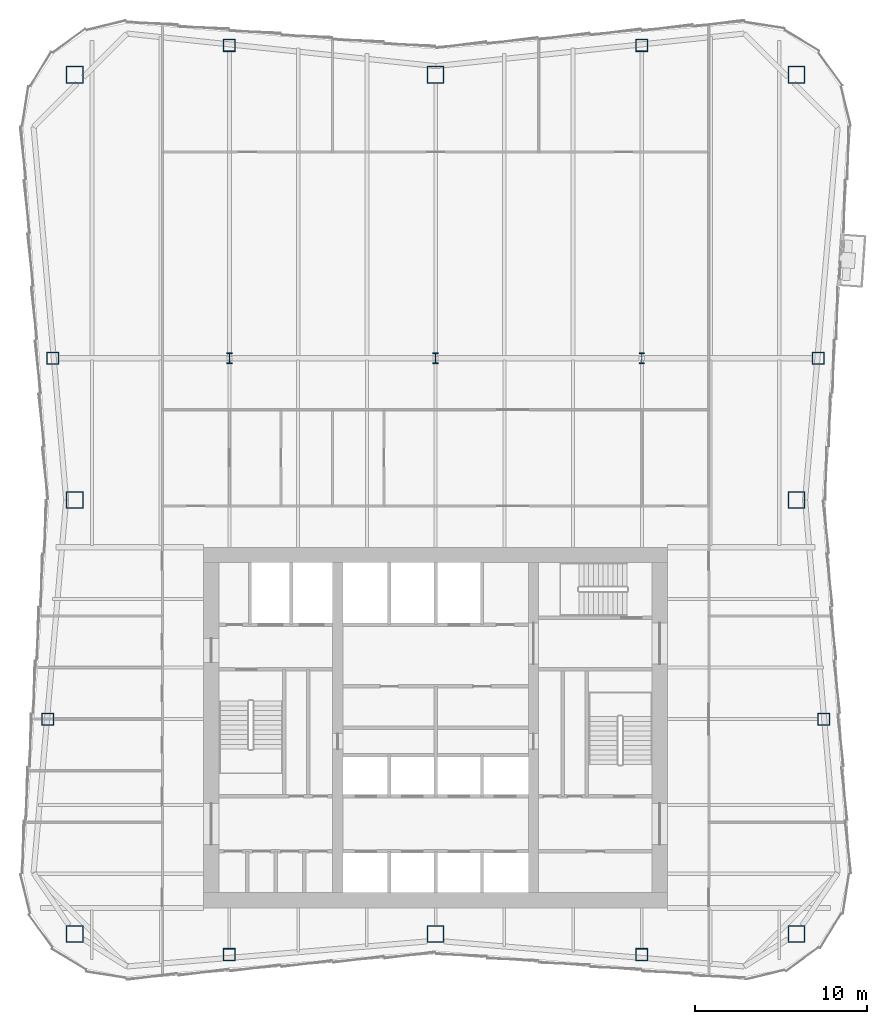
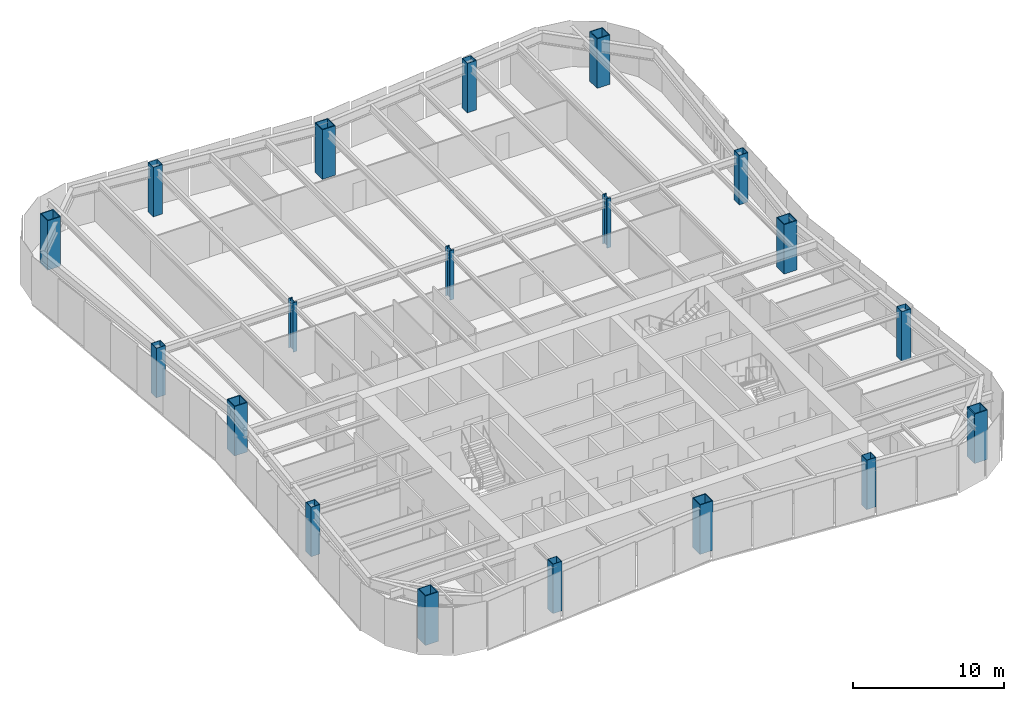
# One storey, part 1 of 10: 19 columns.
"""IFC4 building model written with IfcOpenShell, lengths in metres."""

from ifc_helpers import new_model, si_unit, direction, frame, origin, origin_2d, place, context, subcontext, project, spatial, hollow_rectangle, i_section, extrude, material, material_profile, profile_set, type_object, element, save


model = new_model("IFC4")

# Units and contexts
model_context = context("Model", 3, precision=1e-05, world=origin(), true_north=direction((0.0, 1.0)))
body_context = subcontext(model_context, "Body", "Model", "MODEL_VIEW")
ifc_project = project(units=[si_unit("LENGTHUNIT", "METRE"), si_unit("AREAUNIT", "SQUARE_METRE"), si_unit("VOLUMEUNIT", "CUBIC_METRE"), si_unit("PLANEANGLEUNIT", "RADIAN"), si_unit("MASSUNIT", "GRAM", prefix="KILO")], contexts=[model_context])

# Site, building, storey
site_placement = place(None, origin())
site = spatial("IfcSite", under=ifc_project, at=site_placement, CompositionType="ELEMENT")
building_placement = place(site_placement, origin())
building = spatial("IfcBuilding", under=site, at=building_placement, Name="Verdant Reach Tower", CompositionType="ELEMENT")
storey_placement = place(building_placement, frame((0.0, 0.0, 222.0)))
storey = spatial("IfcBuildingStorey", under=building, at=storey_placement, Name="L51", CompositionType="ELEMENT", Elevation=222.0)

# Columns
ifc_material = material(Name="Steel S460", Category="steel")
ifc_material_profile_1 = material_profile(ifc_material, i_section(OverallWidth=0.304931640625, OverallDepth=0.6201171875, WebThickness=0.02099609375, FlangeThickness=0.0400390625, FilletRadius=0.027099609375, at=origin_2d()), Name="HEM 600")
ifc_profile_set_1 = profile_set([ifc_material_profile_1], Name="Steel S460")
column_type_1 = type_object("IfcColumnType", Name="ST-COL-HEM600", PredefinedType="COLUMN", material=ifc_profile_set_1)
for number, where, z_axis, x_axis, name in (
    (1, (-12.0, 49.5, 0.0), (0.0, 0.0, 1.0), (1.0, 0.0, 0.0), "Interior column 1, L51"),
    (2, (0.0, 49.5, 0.0), (0.0, 0.0, 1.0), (1.0, 0.0, 0.0), "Interior column 2, L51"),
    (3, (12.0, 49.5, 0.0), (0.0, 0.0, 1.0), (1.0, 0.0, 0.0), "Interior column 3, L51"),
):
    element("IfcColumn", number, at=place(storey_placement, frame(where, z_axis=z_axis, x_axis=x_axis)), inside=storey, type_object=column_type_1, Name=name, PredefinedType="COLUMN", context=body_context, shape_type="SweptSolid", body=[
        extrude(i_section(OverallWidth=0.304931640625, OverallDepth=0.6201171875, WebThickness=0.02099609375, FlangeThickness=0.0400390625, FilletRadius=0.027099609375, at=origin_2d()), origin(), (0.0, 0.0, 1.0), 4.0),
    ])
ifc_material_profile_2 = material_profile(ifc_material, hollow_rectangle(XDim=1.0, YDim=1.0, WallThickness=0.06005859375, at=origin_2d()), Name="WB 1000x1000x60")
ifc_profile_set_2 = profile_set([ifc_material_profile_2], Name="Steel S460")
column_type_2 = type_object("IfcColumnType", Name="ST-COL-WB1000x1000x60", PredefinedType="COLUMN", material=ifc_profile_set_2)
for number, where, z_axis, x_axis, name in (
    (4, (-21.0, 66.0, 0.0), (0.0, 0.0, 1.0), (1.0, 0.0, 0.0), "Mega column north-west, L51"),
    (5, (0.0, 66.0, 0.0), (0.0, 0.0, 1.0), (1.0, 0.0, 0.0), "Mega column north, L51"),
    (6, (21.0, 66.0, 0.0), (0.0, 0.0, 1.0), (1.0, 0.0, 0.0), "Mega column north-east, L51"),
    (7, (21.0, 41.25, 0.0), (0.0, 0.0, 1.0), (1.0, 0.0, 0.0), "Mega column east, L51"),
    (8, (21.0, 16.0, 0.0), (0.0, 0.0, 1.0), (1.0, 0.0, 0.0), "Mega column south-east, L51"),
    (9, (0.0, 16.0, 0.0), (0.0, 0.0, 1.0), (1.0, 0.0, 0.0), "Mega column south, L51"),
    (10, (-21.0, 16.0, 0.0), (0.0, 0.0, 1.0), (1.0, 0.0, 0.0), "Mega column south-west, L51"),
    (11, (-21.0, 41.25, 0.0), (0.0, 0.0, 1.0), (1.0, 0.0, 0.0), "Mega column west, L51"),
):
    element("IfcColumn", number, at=place(storey_placement, frame(where, z_axis=z_axis, x_axis=x_axis)), inside=storey, type_object=column_type_2, Name=name, PredefinedType="COLUMN", context=body_context, shape_type="SweptSolid", body=[
        extrude(hollow_rectangle(XDim=1.0, YDim=1.0, WallThickness=0.06005859375, at=origin_2d()), origin(), (0.0, 0.0, 1.0), 4.0),
    ])
ifc_material_profile_3 = material_profile(ifc_material, hollow_rectangle(XDim=0.699951171875, YDim=0.699951171875, WallThickness=0.030029296875, at=origin_2d()), Name="WB 700x700x30")
ifc_profile_set_3 = profile_set([ifc_material_profile_3], Name="Steel S460")
column_type_3 = type_object("IfcColumnType", Name="ST-COL-WB700x700x30", PredefinedType="COLUMN", material=ifc_profile_set_3)
for number, where, z_axis, x_axis, name in (
    (12, (-12.0, 67.699951171875, 0.0), (0.0, 0.0, 1.0), (1.0, 0.0, 0.0), "Perimeter column north 1, L51"),
    (13, (12.0, 67.699951171875, 0.0), (0.0, 0.0, 1.0), (1.0, 0.0, 0.0), "Perimeter column north 2, L51"),
    (14, (-12.0, 14.800048828125, 0.0), (0.0, 0.0, 1.0), (1.0, 0.0, 0.0), "Perimeter column south 1, L51"),
    (15, (12.0, 14.800048828125, 0.0), (0.0, 0.0, 1.0), (1.0, 0.0, 0.0), "Perimeter column south 2, L51"),
    (16, (22.579345703125, 28.5, 0.0), (0.0, 0.0, 1.0), (1.0, 0.0, 0.0), "Perimeter column east 1, L51"),
    (17, (22.26904296875, 49.5, 0.0), (0.0, 0.0, 1.0), (1.0, 0.0, 0.0), "Perimeter column east 2, L51"),
    (18, (-22.579345703125, 28.5, 0.0), (0.0, 0.0, 1.0), (1.0, 0.0, 0.0), "Perimeter column west 1, L51"),
    (19, (-22.26904296875, 49.5, 0.0), (0.0, 0.0, 1.0), (1.0, 0.0, 0.0), "Perimeter column west 2, L51"),
):
    element("IfcColumn", number, at=place(storey_placement, frame(where, z_axis=z_axis, x_axis=x_axis)), inside=storey, type_object=column_type_3, Name=name, PredefinedType="COLUMN", context=body_context, shape_type="SweptSolid", body=[
        extrude(hollow_rectangle(XDim=0.699951171875, YDim=0.699951171875, WallThickness=0.030029296875, at=origin_2d()), origin(), (0.0, 0.0, 1.0), 4.0),
    ])

save(model, "model.ifc")
